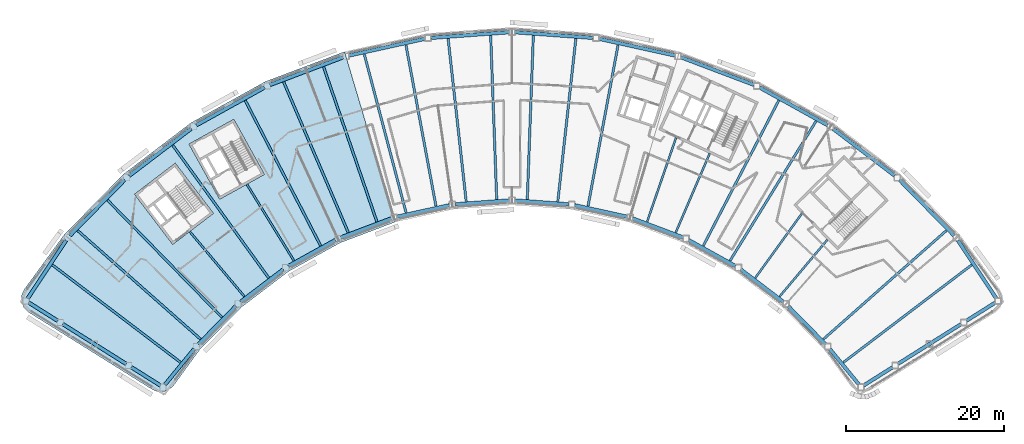
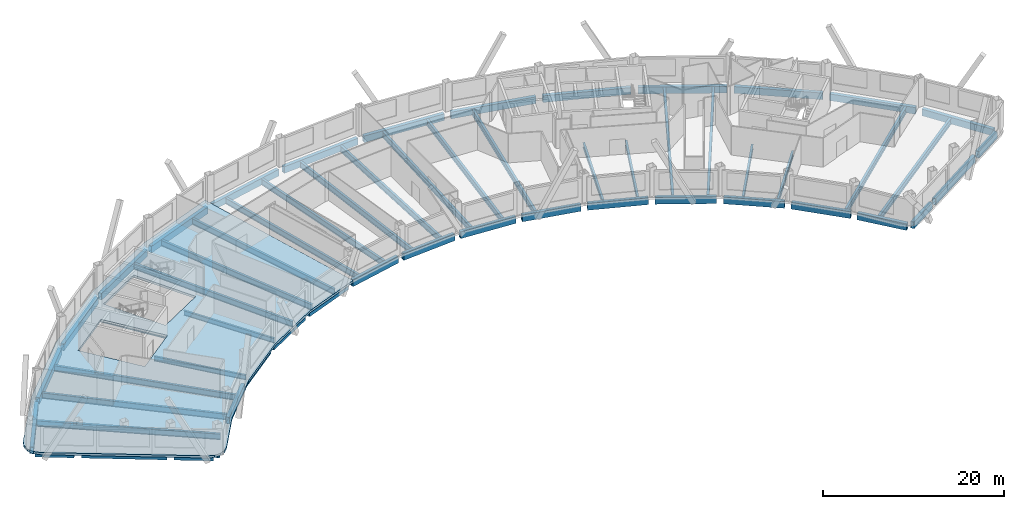
# One storey, part 3 of 13: 58 beams, 1 slab.
"""IFC4 building model written with IfcOpenShell, lengths in metres."""

import ifcopenshell
import ifcopenshell.guid

model = None  # the IFC model being written
_history = None  # IfcOwnerHistory: only IFC2X3 demands one
_inside = {}  # id of a spatial element -> (the spatial element, [elements in it])
_under = {}  # id of a project, library or spatial element -> (it, [spatial elements below it])
_declared = {}  # id of a project -> (the project, [libraries it declares])
_typed = {}  # id of a type object -> (the type object, [elements of that type])
_made_of = {}  # id of a material, layer set ... -> (it, [elements and type objects made of it])


def new_model(schema):
    """Start an empty IFC model of exactly this schema.

    Asked for "IFC4X3", IfcOpenShell would pick the latest addendum, in which some entities
    have other attributes; the version numbers below select the first issue.
    IFC2X3 requires an IfcOwnerHistory on every rooted entity: one is made here for all.
    """
    global model, _history
    if schema == "IFC4X3":
        model = ifcopenshell.file(schema_version=(4, 3, 0, 0))
    else:
        model = ifcopenshell.file(schema=schema)
    _inside.clear()
    _under.clear()
    _declared.clear()
    _typed.clear()
    _made_of.clear()
    _history = None
    if model.schema == "IFC2X3":
        org = make("IfcOrganization", Name="unknown")
        user = make(
            "IfcPersonAndOrganization",
            ThePerson=make("IfcPerson", FamilyName="unknown"),
            TheOrganization=org,
        )
        app = make(
            "IfcApplication",
            ApplicationDeveloper=org,
            Version="unknown",
            ApplicationFullName="unknown",
            ApplicationIdentifier="unknown",
        )
        _history = make(
            "IfcOwnerHistory",
            OwningUser=user,
            OwningApplication=app,
            ChangeAction="ADDED",
            CreationDate=0,
        )
    return model


def make(cls, **values):
    """One entity of the class cls with the attributes given. An attribute that is None is left unset."""
    return model.create_entity(
        cls, **{name: value for name, value in values.items() if value is not None}
    )


def rooted(cls, **values):
    """An entity with a GlobalId (a new one), such as an element, a storey or a relation."""
    return make(cls, GlobalId=ifcopenshell.guid.new(), OwnerHistory=_history, **values)


def si_unit(unit_type, name, prefix=None):
    """IfcSIUnit, for example si_unit("LENGTHUNIT", "METRE", prefix="MILLI")."""
    return make("IfcSIUnit", UnitType=unit_type, Prefix=prefix, Name=name)


def assignment(units):
    """IfcUnitAssignment: the units of a project."""
    return None if units is None else make("IfcUnitAssignment", Units=units)


def point(xyz):
    """IfcCartesianPoint."""
    return None if xyz is None else make("IfcCartesianPoint", Coordinates=xyz)


def direction(xyz):
    """IfcDirection."""
    return None if xyz is None else make("IfcDirection", DirectionRatios=xyz)


def frame(location, z_axis=None, x_axis=None):
    """IfcAxis2Placement3D, a coordinate frame: its origin and axes. An axis left out is left unset."""
    return make(
        "IfcAxis2Placement3D",
        Location=point(location),
        Axis=direction(z_axis),
        RefDirection=direction(x_axis),
    )


def frame_2d(location, x_axis=None):
    """IfcAxis2Placement2D, a coordinate frame in the plane: its origin and x axis."""
    return make(
        "IfcAxis2Placement2D", Location=point(location), RefDirection=direction(x_axis)
    )


def origin():
    """The frame at (0, 0, 0) with its axes left unset."""
    return frame((0.0, 0.0, 0.0))


def origin_2d():
    """The frame at (0, 0) in the plane with its x axis left unset."""
    return frame_2d((0.0, 0.0))


def place(relative_to, where):
    """IfcLocalPlacement: puts the frame where relative to a parent placement (None: the world)."""
    return make(
        "IfcLocalPlacement", PlacementRelTo=relative_to, RelativePlacement=where
    )


def context(
    kind, dimensions, precision=None, world=None, true_north=None, identifier=None
):
    """IfcGeometricRepresentationContext, for example the 3D "Model" context."""
    return make(
        "IfcGeometricRepresentationContext",
        ContextIdentifier=identifier,
        ContextType=kind,
        CoordinateSpaceDimension=dimensions,
        Precision=precision,
        WorldCoordinateSystem=world,
        TrueNorth=true_north,
    )


def subcontext(parent, identifier, kind, view, scale=None):
    """IfcGeometricRepresentationSubContext, for example "Body" below "Model"."""
    return make(
        "IfcGeometricRepresentationSubContext",
        ContextIdentifier=identifier,
        ContextType=kind,
        ParentContext=parent,
        TargetScale=scale,
        TargetView=view,
    )


def project(units=None, contexts=None):
    """IfcProject with its units and contexts."""
    return rooted(
        "IfcProject",
        Name="project",
        RepresentationContexts=contexts,
        UnitsInContext=assignment(units),
    )


def spatial(cls, under=None, at=None, **own):
    """A site, building, storey or space (cls), placed at a placement, below another one or the project."""
    s = rooted(cls, ObjectPlacement=at, **own)
    if under is not None:
        _under.setdefault(under.id(), (under, []))[1].append(s)
    return s


def polyline(points):
    """IfcPolyline through the points."""
    return make("IfcPolyline", Points=[point(p) for p in points])


def profile(cls, at=None, kind="AREA", **sizes):
    """A parametric profile (cls). Its sizes go by their IFC names, for example OverallWidth=200.0."""
    return make(cls, ProfileType=kind, Position=at, **sizes)


def hollow_rectangle(**sizes):
    """IfcRectangleHollowProfileDef."""
    return profile("IfcRectangleHollowProfileDef", **sizes)


def i_section(**sizes):
    """IfcIShapeProfileDef."""
    return profile("IfcIShapeProfileDef", **sizes)


def outline(outer, holes=None, kind="AREA"):
    """IfcArbitraryClosedProfileDef: a profile drawn as a closed curve; with holes, ...WithVoids."""
    if holes is None:
        return make("IfcArbitraryClosedProfileDef", ProfileType=kind, OuterCurve=outer)
    return make(
        "IfcArbitraryProfileDefWithVoids",
        ProfileType=kind,
        OuterCurve=outer,
        InnerCurves=holes,
    )


def extrude(swept, where, along, depth):
    """IfcExtrudedAreaSolid: the profile swept, set in the frame where, extruded along a direction by depth."""
    return make(
        "IfcExtrudedAreaSolid",
        SweptArea=swept,
        Position=where,
        ExtrudedDirection=direction(along),
        Depth=depth,
    )


def shape(context_of_items, identifier, shape_type, items):
    """IfcShapeRepresentation: the items that make up one representation, for example the "Body"."""
    return make(
        "IfcShapeRepresentation",
        ContextOfItems=context_of_items,
        RepresentationIdentifier=identifier,
        RepresentationType=shape_type,
        Items=items,
    )


def material(Name=None, Category=None):
    """IfcMaterial."""
    return make("IfcMaterial", Name=Name, Category=Category)


def layer(
    of_material, thickness, ventilated=None, Name=None, Category=None, Priority=None
):
    """IfcMaterialLayer: one layer of a wall or slab, of a material (None: an air gap)."""
    return make(
        "IfcMaterialLayer",
        Material=of_material,
        LayerThickness=thickness,
        IsVentilated=ventilated,
        Name=Name,
        Category=Category,
        Priority=Priority,
    )


def layer_set(layers, Name=None):
    """IfcMaterialLayerSet."""
    return make("IfcMaterialLayerSet", MaterialLayers=layers, LayerSetName=Name)


def material_profile(
    of_material, cross_section, Name=None, Category=None, Priority=None
):
    """IfcMaterialProfile: a cross section and its material."""
    return make(
        "IfcMaterialProfile",
        Name=Name,
        Material=of_material,
        Profile=cross_section,
        Priority=Priority,
        Category=Category,
    )


def profile_set(profiles, Name=None, composite=None):
    """IfcMaterialProfileSet."""
    return make(
        "IfcMaterialProfileSet",
        Name=Name,
        MaterialProfiles=profiles,
        CompositeProfile=composite,
    )


def made_of(thing, what):
    """Note that an element or type object is made of a material, layer set ...; save() writes the relation."""
    if what is not None:
        _made_of.setdefault(what.id(), (what, []))[1].append(thing)
    return thing


def type_object(cls, material=None, **own):
    """A type object (cls), such as IfcWallType, which elements share."""
    return made_of(rooted(cls, **own), material)


def element(
    cls,
    number,
    at=None,
    inside=None,
    cuts=None,
    type_object=None,
    material=None,
    context=None,
    identifier="Body",
    shape_type=None,
    held_by="IfcProductDefinitionShape",
    body=None,
    shapes=None,
    **own,
):
    """One element of the class cls, such as IfcWall. Its Tag is "e" and its number.

    at: its placement. inside: the storey or other place that contains it. cuts: it is an
    opening in that element (IfcRelVoidsElement). A single representation is given by context,
    identifier, shape_type and body (its items); several are given by shapes. held_by: the class
    of the entity that holds the representations. save() writes the other relations.
    """
    e = rooted(cls, Tag="e%d" % number, ObjectPlacement=at, **own)
    if body is not None:
        shapes = [shape(context, identifier, shape_type, body)]
    if shapes is not None:
        e.Representation = make(held_by, Representations=shapes)
    if inside is not None:
        _inside.setdefault(inside.id(), (inside, []))[1].append(e)
    if cuts is not None:
        rooted(
            "IfcRelVoidsElement", RelatingBuildingElement=cuts, RelatedOpeningElement=e
        )
    if type_object is not None:
        _typed.setdefault(type_object.id(), (type_object, []))[1].append(e)
    return made_of(e, material)


def aggregate(whole, parts):
    """IfcRelAggregates: a whole, such as a stair, and the parts it consists of."""
    return rooted("IfcRelAggregates", RelatingObject=whole, RelatedObjects=parts)


def save(model, path):
    """Write the relations noted so far, then the file.

    IfcRelAggregates (storeys below a building ...), IfcRelContainedInSpatialStructure (elements
    in a storey), IfcRelDefinesByType, IfcRelAssociatesMaterial and IfcRelDeclares: one each for
    every whole, place, type object, material and project.
    """
    for whole, parts in _under.values():
        aggregate(whole, parts)
    for where, things in _inside.values():
        rooted(
            "IfcRelContainedInSpatialStructure",
            RelatedElements=things,
            RelatingStructure=where,
        )
    for kind, things in _typed.values():
        rooted("IfcRelDefinesByType", RelatedObjects=things, RelatingType=kind)
    for what, things in _made_of.values():
        rooted("IfcRelAssociatesMaterial", RelatedObjects=things, RelatingMaterial=what)
    for by, libraries in _declared.values():
        rooted("IfcRelDeclares", RelatingContext=by, RelatedDefinitions=libraries)
    model.write(path)


model = new_model("IFC4")

# Units and contexts
model_context = context("Model", 3, precision=1e-05, world=origin(), true_north=direction((0.0, 1.0)))
body_context = subcontext(model_context, "Body", "Model", "MODEL_VIEW")
ifc_project = project(units=[si_unit("LENGTHUNIT", "METRE"), si_unit("AREAUNIT", "SQUARE_METRE"), si_unit("VOLUMEUNIT", "CUBIC_METRE"), si_unit("PLANEANGLEUNIT", "RADIAN"), si_unit("MASSUNIT", "GRAM", prefix="KILO")], contexts=[model_context])

# Site, building, storey
site_placement = place(None, origin())
site = spatial("IfcSite", under=ifc_project, at=site_placement, CompositionType="ELEMENT")
building_placement = place(site_placement, origin())
building = spatial("IfcBuilding", under=site, at=building_placement, Name="Tuul Gate Civic Tower", CompositionType="ELEMENT")
storey_placement = place(building_placement, frame((0.0, 0.0, 302.60009765625)))
storey = spatial("IfcBuildingStorey", under=building, at=storey_placement, Name="Level 68", CompositionType="ELEMENT", Elevation=302.60009765625)

# Beams
ifc_material_1 = material(Name="Steel S355", Category="steel")
ifc_material_profile_1 = material_profile(ifc_material_1, i_section(OverallWidth=0.25, OverallDepth=0.64990234375, WebThickness=0.011962890625, FlangeThickness=0.02001953125, at=origin_2d()), Name="PG650x250x12x20")
ifc_profile_set_1 = profile_set([ifc_material_profile_1], Name="Steel S355")
beam_type_1 = type_object("IfcBeamType", Name="STR-FLOOR BEAM-PG650x250x12x20", PredefinedType="BEAM", material=ifc_profile_set_1)
beam_1_placement = place(storey_placement, frame((40.746337890625, -24.341064453125, -0.625), z_axis=(0.644127784209, 0.764917902529, 0.0), x_axis=(-0.764917902529, 0.644127784209, 0.0)))
element("IfcBeam", 1, at=beam_1_placement, inside=storey, type_object=beam_type_1, Name="Floor beam", PredefinedType="BEAM", context=body_context, shape_type="SweptSolid", body=[
    extrude(i_section(OverallWidth=0.25, OverallDepth=0.64990234375, WebThickness=0.011962890625, FlangeThickness=0.02001953125, at=origin_2d()), origin(), (0.0, 0.0, 1.0), 9.443115234375),
])
beam_2_placement = place(storey_placement, frame((37.658203125, -21.989501953125, -0.625), z_axis=(0.586069159859, 0.810261031929, 0.0), x_axis=(-0.810261031929, 0.586069159859, 0.0)))
element("IfcBeam", 2, at=beam_2_placement, inside=storey, type_object=beam_type_1, Name="Floor beam", PredefinedType="BEAM", context=body_context, shape_type="SweptSolid", body=[
    extrude(i_section(OverallWidth=0.25, OverallDepth=0.64990234375, WebThickness=0.011962890625, FlangeThickness=0.02001953125, at=origin_2d()), origin(), (0.0, 0.0, 1.0), 10.103515625),
])
beam_3_placement = place(storey_placement, frame((27.564697265625, -16.229248046875, -0.625), z_axis=(0.394202182467, 0.919023742532, 0.0), x_axis=(-0.919023742532, 0.394202182467, 0.0)))
element("IfcBeam", 3, at=beam_3_placement, inside=storey, type_object=beam_type_1, Name="Floor beam", PredefinedType="BEAM", context=body_context, shape_type="SweptSolid", body=[
    extrude(i_section(OverallWidth=0.25, OverallDepth=0.64990234375, WebThickness=0.011962890625, FlangeThickness=0.02001953125, at=origin_2d()), origin(), (0.0, 0.0, 1.0), 10.93603515625),
])
beam_4_placement = place(storey_placement, frame((23.934326171875, -14.856689453125, -0.625), z_axis=(0.325475834629, 0.945550358824, 0.0), x_axis=(-0.945550358824, 0.325475834629, 0.0)))
element("IfcBeam", 4, at=beam_4_placement, inside=storey, type_object=beam_type_1, Name="Floor beam", PredefinedType="BEAM", context=body_context, shape_type="SweptSolid", body=[
    extrude(i_section(OverallWidth=0.25, OverallDepth=0.64990234375, WebThickness=0.011962890625, FlangeThickness=0.02001953125, at=origin_2d()), origin(), (0.0, 0.0, 1.0), 11.282958984375),
])
beam_5_placement = place(storey_placement, frame((-20.8779296875, -19.798828125, -0.625), z_axis=(-0.524859776805, 0.851188706864, 0.0), x_axis=(-0.851188706864, -0.524859776805, 0.0)))
element("IfcBeam", 5, at=beam_5_placement, inside=storey, type_object=beam_type_1, Name="Floor beam", PredefinedType="BEAM", context=body_context, shape_type="SweptSolid", body=[
    extrude(i_section(OverallWidth=0.25, OverallDepth=0.64990234375, WebThickness=0.011962890625, FlangeThickness=0.02001953125, at=origin_2d()), origin(), (0.0, 0.0, 1.0), 11.414306640625),
])
beam_6_placement = place(storey_placement, frame((-27.170166015625, -24.341064453125, -0.625), z_axis=(-0.644139926709, 0.764907677318, 0.0), x_axis=(-0.764907677318, -0.644139926709, 0.0)))
element("IfcBeam", 6, at=beam_6_placement, inside=storey, type_object=beam_type_1, Name="Floor beam", PredefinedType="BEAM", context=body_context, shape_type="SweptSolid", body=[
    extrude(i_section(OverallWidth=0.25, OverallDepth=0.64990234375, WebThickness=0.011962890625, FlangeThickness=0.02001953125, at=origin_2d()), origin(), (0.0, 0.0, 1.0), 10.7890625),
])
ifc_material_2 = material(Name="Steel S355", Category="steel")
ifc_material_profile_2 = material_profile(ifc_material_2, i_section(OverallWidth=0.300048828125, OverallDepth=0.800048828125, WebThickness=0.013916015625, FlangeThickness=0.02490234375, at=origin_2d()), Name="PG800x300x14x25")
ifc_profile_set_2 = profile_set([ifc_material_profile_2], Name="Steel S355")
beam_type_2 = type_object("IfcBeamType", Name="STR-FLOOR BEAM-PG800x300x14x25", PredefinedType="BEAM", material=ifc_profile_set_2)
beam_7_placement = place(storey_placement, frame((48.8427734375, -32.703857421875, -0.7001953125), z_axis=(0.796156676215, 0.60509052787, 0.0), x_axis=(-0.60509052787, 0.796156676215, 0.0)))
element("IfcBeam", 7, at=beam_7_placement, inside=storey, type_object=beam_type_2, Name="Floor beam", PredefinedType="BEAM", context=body_context, shape_type="SweptSolid", body=[
    extrude(i_section(OverallWidth=0.300048828125, OverallDepth=0.800048828125, WebThickness=0.013916015625, FlangeThickness=0.02490234375, at=origin_2d()), origin(), (0.0, 0.0, 1.0), 20.46240234375),
])
beam_8_placement = place(storey_placement, frame((46.3037109375, -29.759033203125, -0.7001953125), z_axis=(0.749453243269, 0.662057275584, 0.0), x_axis=(-0.662057275584, 0.749453243269, 0.0)))
element("IfcBeam", 8, at=beam_8_placement, inside=storey, type_object=beam_type_2, Name="Floor beam", PredefinedType="BEAM", context=body_context, shape_type="SweptSolid", body=[
    extrude(i_section(OverallWidth=0.300048828125, OverallDepth=0.800048828125, WebThickness=0.013916015625, FlangeThickness=0.02490234375, at=origin_2d()), origin(), (0.0, 0.0, 1.0), 20.828369140625),
])
beam_9_placement = place(storey_placement, frame((34.45458984375, -19.79833984375, -0.7001953125), z_axis=(0.524850193008, 0.851194616348, 0.0), x_axis=(-0.851194616348, 0.524850193008, 0.0)))
element("IfcBeam", 9, at=beam_9_placement, inside=storey, type_object=beam_type_2, Name="Floor beam", PredefinedType="BEAM", context=body_context, shape_type="SweptSolid", body=[
    extrude(i_section(OverallWidth=0.300048828125, OverallDepth=0.800048828125, WebThickness=0.013916015625, FlangeThickness=0.02490234375, at=origin_2d()), origin(), (0.0, 0.0, 1.0), 20.822021484375),
])
beam_10_placement = place(storey_placement, frame((31.0595703125, -17.9169921875, -0.7001953125), z_axis=(0.460777059353, 0.887515916237, 0.0), x_axis=(-0.887515916237, 0.460777059353, 0.0)))
element("IfcBeam", 10, at=beam_10_placement, inside=storey, type_object=beam_type_2, Name="Floor beam", PredefinedType="BEAM", context=body_context, shape_type="SweptSolid", body=[
    extrude(i_section(OverallWidth=0.300048828125, OverallDepth=0.800048828125, WebThickness=0.013916015625, FlangeThickness=0.02490234375, at=origin_2d()), origin(), (0.0, 0.0, 1.0), 20.8076171875),
])
beam_11_placement = place(storey_placement, frame((16.4365234375, -12.874755859375, -0.7001953125), z_axis=(0.183145230157, 0.983085868412, 0.0), x_axis=(-0.983085868412, 0.183145230157, 0.0)))
element("IfcBeam", 11, at=beam_11_placement, inside=storey, type_object=beam_type_2, Name="Floor beam", PredefinedType="BEAM", context=body_context, shape_type="SweptSolid", body=[
    extrude(i_section(OverallWidth=0.300048828125, OverallDepth=0.800048828125, WebThickness=0.013916015625, FlangeThickness=0.02490234375, at=origin_2d()), origin(), (0.0, 0.0, 1.0), 20.8115234375),
])
beam_12_placement = place(storey_placement, frame((12.599365234375, -12.294677734375, -0.7001953125), z_axis=(0.110286058964, 0.993899886909, 0.0), x_axis=(-0.993899886909, 0.110286058964, 0.0)))
element("IfcBeam", 12, at=beam_12_placement, inside=storey, type_object=beam_type_2, Name="Floor beam", PredefinedType="BEAM", context=body_context, shape_type="SweptSolid", body=[
    extrude(i_section(OverallWidth=0.300048828125, OverallDepth=0.800048828125, WebThickness=0.013916015625, FlangeThickness=0.02490234375, at=origin_2d()), origin(), (0.0, 0.0, 1.0), 20.8154296875),
])
beam_13_placement = place(storey_placement, frame((8.728515625, -12.01416015625, -0.7001953125), z_axis=(0.036832047042, 0.999321469954, 0.0), x_axis=(-0.999321469954, 0.036832047042, 0.0)))
element("IfcBeam", 13, at=beam_13_placement, inside=storey, type_object=beam_type_2, Name="Floor beam", PredefinedType="BEAM", context=body_context, shape_type="SweptSolid", body=[
    extrude(i_section(OverallWidth=0.300048828125, OverallDepth=0.800048828125, WebThickness=0.013916015625, FlangeThickness=0.02490234375, at=origin_2d()), origin(), (0.0, 0.0, 1.0), 20.8134765625),
])
beam_14_placement = place(storey_placement, frame((4.84765625, -12.013916015625, -0.7001953125), z_axis=(-0.036820764609, 0.999321885727, 0.0), x_axis=(-0.999321885727, -0.036820764609, 0.0)))
element("IfcBeam", 14, at=beam_14_placement, inside=storey, type_object=beam_type_2, Name="Floor beam", PredefinedType="BEAM", context=body_context, shape_type="SweptSolid", body=[
    extrude(i_section(OverallWidth=0.300048828125, OverallDepth=0.800048828125, WebThickness=0.013916015625, FlangeThickness=0.02490234375, at=origin_2d()), origin(), (0.0, 0.0, 1.0), 20.813232421875),
])
beam_15_placement = place(storey_placement, frame((0.976806640625, -12.294677734375, -0.7001953125), z_axis=(-0.110287344613, 0.993899744249, 0.0), x_axis=(-0.993899744249, -0.110287344613, 0.0)))
element("IfcBeam", 15, at=beam_15_placement, inside=storey, type_object=beam_type_2, Name="Floor beam", PredefinedType="BEAM", context=body_context, shape_type="SweptSolid", body=[
    extrude(i_section(OverallWidth=0.300048828125, OverallDepth=0.800048828125, WebThickness=0.013916015625, FlangeThickness=0.02490234375, at=origin_2d()), origin(), (0.0, 0.0, 1.0), 20.815185546875),
])
beam_16_placement = place(storey_placement, frame((-2.8603515625, -12.87451171875, -0.7001953125), z_axis=(-0.183149454547, 0.983085081414, 0.0), x_axis=(-0.983085081414, -0.183149454547, 0.0)))
element("IfcBeam", 16, at=beam_16_placement, inside=storey, type_object=beam_type_2, Name="Floor beam", PredefinedType="BEAM", context=body_context, shape_type="SweptSolid", body=[
    extrude(i_section(OverallWidth=0.300048828125, OverallDepth=0.800048828125, WebThickness=0.013916015625, FlangeThickness=0.02490234375, at=origin_2d()), origin(), (0.0, 0.0, 1.0), 20.81103515625),
])
beam_17_placement = place(storey_placement, frame((-6.650390625, -13.7099609375, -0.7001953125), z_axis=(-0.255007612054, 0.966939045542, 0.0), x_axis=(-0.966939045542, -0.255007612054, 0.0)))
element("IfcBeam", 17, at=beam_17_placement, inside=storey, type_object=beam_type_2, Name="Floor beam", PredefinedType="BEAM", context=body_context, shape_type="SweptSolid", body=[
    extrude(i_section(OverallWidth=0.300048828125, OverallDepth=0.800048828125, WebThickness=0.013916015625, FlangeThickness=0.02490234375, at=origin_2d()), origin(), (0.0, 0.0, 1.0), 20.8173828125),
])
beam_18_placement = place(storey_placement, frame((-10.358154296875, -14.856689453125, -0.7001953125), z_axis=(-0.325486974479, 0.945546524209, 0.0), x_axis=(-0.945546524209, -0.325486974479, 0.0)))
element("IfcBeam", 18, at=beam_18_placement, inside=storey, type_object=beam_type_2, Name="Floor beam", PredefinedType="BEAM", context=body_context, shape_type="SweptSolid", body=[
    extrude(i_section(OverallWidth=0.300048828125, OverallDepth=0.800048828125, WebThickness=0.013916015625, FlangeThickness=0.02490234375, at=origin_2d()), origin(), (0.0, 0.0, 1.0), 20.809326171875),
])
beam_19_placement = place(storey_placement, frame((-13.98828125, -16.2294921875, -0.7001953125), z_axis=(-0.39420232802, 0.9190236801, 0.0), x_axis=(-0.9190236801, -0.39420232802, 0.0)))
element("IfcBeam", 19, at=beam_19_placement, inside=storey, type_object=beam_type_2, Name="Floor beam", PredefinedType="BEAM", context=body_context, shape_type="SweptSolid", body=[
    extrude(i_section(OverallWidth=0.300048828125, OverallDepth=0.800048828125, WebThickness=0.013916015625, FlangeThickness=0.02490234375, at=origin_2d()), origin(), (0.0, 0.0, 1.0), 20.820068359375),
])
beam_20_placement = place(storey_placement, frame((-17.483154296875, -17.917236328125, -0.7001953125), z_axis=(-0.460781503105, 0.887513609133, 0.0), x_axis=(-0.887513609133, -0.460781503105, 0.0)))
element("IfcBeam", 20, at=beam_20_placement, inside=storey, type_object=beam_type_2, Name="Floor beam", PredefinedType="BEAM", context=body_context, shape_type="SweptSolid", body=[
    extrude(i_section(OverallWidth=0.300048828125, OverallDepth=0.800048828125, WebThickness=0.013916015625, FlangeThickness=0.02490234375, at=origin_2d()), origin(), (0.0, 0.0, 1.0), 20.807861328125),
])
beam_21_placement = place(storey_placement, frame((-24.081787109375, -21.98974609375, -0.7001953125), z_axis=(-0.586080778494, 0.810252627938, 0.0), x_axis=(-0.810252627938, -0.586080778494, 0.0)))
element("IfcBeam", 21, at=beam_21_placement, inside=storey, type_object=beam_type_2, Name="Floor beam", PredefinedType="BEAM", context=body_context, shape_type="SweptSolid", body=[
    extrude(i_section(OverallWidth=0.300048828125, OverallDepth=0.800048828125, WebThickness=0.013916015625, FlangeThickness=0.02490234375, at=origin_2d()), origin(), (0.0, 0.0, 1.0), 20.8056640625),
])
beam_22_placement = place(storey_placement, frame((-30.010498046875, -26.986572265625, -0.7001953125), z_axis=(-0.698690220921, 0.71542433226, 0.0), x_axis=(-0.71542433226, -0.698690220921, 0.0)))
element("IfcBeam", 22, at=beam_22_placement, inside=storey, type_object=beam_type_2, Name="Floor beam", PredefinedType="BEAM", context=body_context, shape_type="SweptSolid", body=[
    extrude(i_section(OverallWidth=0.300048828125, OverallDepth=0.800048828125, WebThickness=0.013916015625, FlangeThickness=0.02490234375, at=origin_2d()), origin(), (0.0, 0.0, 1.0), 20.804443359375),
])
beam_23_placement = place(storey_placement, frame((-32.7275390625, -29.759033203125, -0.7001953125), z_axis=(-0.749453243269, 0.662057275584, 0.0), x_axis=(-0.662057275584, -0.749453243269, 0.0)))
element("IfcBeam", 23, at=beam_23_placement, inside=storey, type_object=beam_type_2, Name="Floor beam", PredefinedType="BEAM", context=body_context, shape_type="SweptSolid", body=[
    extrude(i_section(OverallWidth=0.300048828125, OverallDepth=0.800048828125, WebThickness=0.013916015625, FlangeThickness=0.02490234375, at=origin_2d()), origin(), (0.0, 0.0, 1.0), 20.828369140625),
])
beam_24_placement = place(storey_placement, frame((-35.266845703125, -32.703857421875, -0.7001953125), z_axis=(-0.796146559843, 0.605103838403, 0.0), x_axis=(-0.605103838403, -0.796146559843, 0.0)))
element("IfcBeam", 24, at=beam_24_placement, inside=storey, type_object=beam_type_2, Name="Floor beam", PredefinedType="BEAM", context=body_context, shape_type="SweptSolid", body=[
    extrude(i_section(OverallWidth=0.300048828125, OverallDepth=0.800048828125, WebThickness=0.013916015625, FlangeThickness=0.02490234375, at=origin_2d()), origin(), (0.0, 0.0, 1.0), 20.46240234375),
])
ifc_material_3 = material(Name="Steel S355", Category="steel")
ifc_material_profile_3 = material_profile(ifc_material_3, hollow_rectangle(XDim=0.449951171875, YDim=0.89990234375, WallThickness=0.02490234375, at=origin_2d()), Name="BOX900x450x25")
ifc_profile_set_3 = profile_set([ifc_material_profile_3], Name="Steel S355")
beam_type_3 = type_object("IfcBeamType", Name="STR-SPANDREL BEAM-BOX900x450x25", PredefinedType="BEAM", material=ifc_profile_set_3)
beam_25_placement = place(storey_placement, frame((68.23828125, -24.5634765625, -0.75), z_axis=(-0.551580803008, 0.834121464628, 0.0), x_axis=(-0.834121464628, -0.551580803008, 0.0)))
element("IfcBeam", 25, at=beam_25_placement, inside=storey, type_object=beam_type_3, Name="Spandrel beam", PredefinedType="BEAM", context=body_context, shape_type="SweptSolid", body=[
    extrude(hollow_rectangle(XDim=0.449951171875, YDim=0.89990234375, WallThickness=0.02490234375, at=origin_2d()), origin(), (0.0, 0.0, 1.0), 8.806884765625),
])
for number, where, z_axis, x_axis, name in (
    (26, (62.8798828125, -16.598388671875, -0.75), (-0.699989605726, 0.714153031132, 0.0), (-0.714153031132, -0.699989605726, 0.0), "Spandrel beam"),
    (27, (55.36767578125, -9.0166015625, -0.75), (-0.795624601098, 0.605789975261, 0.0), (-0.605789975261, -0.795624601098, 0.0), "Spandrel beam"),
):
    element("IfcBeam", number, at=place(storey_placement, frame(where, z_axis=z_axis, x_axis=x_axis)), inside=storey, type_object=beam_type_3, Name=name, PredefinedType="BEAM", context=body_context, shape_type="SweptSolid", body=[
        extrude(hollow_rectangle(XDim=0.449951171875, YDim=0.89990234375, WallThickness=0.02490234375, at=origin_2d()), origin(), (0.0, 0.0, 1.0), 9.876953125),
    ])
beam_26_placement = place(storey_placement, frame((46.841064453125, -2.59716796875, -0.75), z_axis=(-0.874638363012, 0.484775962634, 0.0), x_axis=(-0.484775962634, -0.874638363012, 0.0)))
element("IfcBeam", 28, at=beam_26_placement, inside=storey, type_object=beam_type_3, Name="Spandrel beam", PredefinedType="BEAM", context=body_context, shape_type="SweptSolid", body=[
    extrude(hollow_rectangle(XDim=0.449951171875, YDim=0.89990234375, WallThickness=0.02490234375, at=origin_2d()), origin(), (0.0, 0.0, 1.0), 9.87744140625),
])
for number, where, z_axis, x_axis, name in (
    (29, (37.477783203125, 2.526611328125, -0.75), (-0.935345282805, 0.353736062531, 0.0), (-0.353736062531, -0.935345282805, 0.0), "Spandrel beam"),
    (30, (27.474365234375, 6.248046875, -0.75), (-0.976561301206, 0.21523945964, 0.0), (-0.21523945964, -0.976561301206, 0.0), "Spandrel beam"),
):
    element("IfcBeam", number, at=place(storey_placement, frame(where, z_axis=z_axis, x_axis=x_axis)), inside=storey, type_object=beam_type_3, Name=name, PredefinedType="BEAM", context=body_context, shape_type="SweptSolid", body=[
        extrude(hollow_rectangle(XDim=0.449951171875, YDim=0.89990234375, WallThickness=0.02490234375, at=origin_2d()), origin(), (0.0, 0.0, 1.0), 9.877197265625),
    ])
beam_27_placement = place(storey_placement, frame((17.0390625, 8.489013671875, -0.75), z_axis=(-0.997383375636, 0.072293858694, 0.0), x_axis=(-0.072293858694, -0.997383375636, 0.0)))
element("IfcBeam", 31, at=beam_27_placement, inside=storey, type_object=beam_type_3, Name="Spandrel beam", PredefinedType="BEAM", context=body_context, shape_type="SweptSolid", body=[
    extrude(hollow_rectangle(XDim=0.449951171875, YDim=0.89990234375, WallThickness=0.02490234375, at=origin_2d()), origin(), (0.0, 0.0, 1.0), 9.8779296875),
])
for number, where, z_axis, x_axis, name in (
    (32, (6.38916015625, 9.203125, -0.75), (-0.997382988068, -0.072299205474, 0.0), (0.072299205474, -0.997382988068, 0.0), "Spandrel beam"),
    (33, (-4.251708984375, 8.3740234375, -0.75), (-0.976561301206, -0.21523945964, 0.0), (0.21523945964, -0.976561301206, 0.0), "Spandrel beam"),
):
    element("IfcBeam", number, at=place(storey_placement, frame(where, z_axis=z_axis, x_axis=x_axis)), inside=storey, type_object=beam_type_3, Name=name, PredefinedType="BEAM", context=body_context, shape_type="SweptSolid", body=[
        extrude(hollow_rectangle(XDim=0.449951171875, YDim=0.89990234375, WallThickness=0.02490234375, at=origin_2d()), origin(), (0.0, 0.0, 1.0), 9.877197265625),
    ])
beam_28_placement = place(storey_placement, frame((-14.662109375, 6.0205078125, -0.75), z_axis=(-0.935352568022, -0.353716798434, 0.0), x_axis=(0.353716798434, -0.935352568022, 0.0)))
element("IfcBeam", 34, at=beam_28_placement, inside=storey, type_object=beam_type_3, Name="Spandrel beam", PredefinedType="BEAM", context=body_context, shape_type="SweptSolid", body=[
    extrude(hollow_rectangle(XDim=0.449951171875, YDim=0.89990234375, WallThickness=0.02490234375, at=origin_2d()), origin(), (0.0, 0.0, 1.0), 9.87841796875),
])
beam_29_placement = place(storey_placement, frame((-24.625732421875, 2.191162109375, -0.75), z_axis=(-0.874620935206, -0.484807404748, 0.0), x_axis=(0.484807404748, -0.874620935206, 0.0)))
element("IfcBeam", 35, at=beam_29_placement, inside=storey, type_object=beam_type_3, Name="Spandrel beam", PredefinedType="BEAM", context=body_context, shape_type="SweptSolid", body=[
    extrude(hollow_rectangle(XDim=0.449951171875, YDim=0.89990234375, WallThickness=0.02490234375, at=origin_2d()), origin(), (0.0, 0.0, 1.0), 9.876708984375),
])
beam_30_placement = place(storey_placement, frame((-33.932373046875, -3.033203125, -0.75), z_axis=(-0.795624601098, -0.605789975261, 0.0), x_axis=(0.605789975261, -0.795624601098, 0.0)))
element("IfcBeam", 36, at=beam_30_placement, inside=storey, type_object=beam_type_3, Name="Spandrel beam", PredefinedType="BEAM", context=body_context, shape_type="SweptSolid", body=[
    extrude(hollow_rectangle(XDim=0.449951171875, YDim=0.89990234375, WallThickness=0.02490234375, at=origin_2d()), origin(), (0.0, 0.0, 1.0), 9.876953125),
])
beam_31_placement = place(storey_placement, frame((-42.388916015625, -9.544677734375, -0.75), z_axis=(-0.700052630296, -0.714091251042, 0.0), x_axis=(0.714091251042, -0.700052630296, 0.0)))
element("IfcBeam", 37, at=beam_31_placement, inside=storey, type_object=beam_type_3, Name="Spandrel beam", PredefinedType="BEAM", context=body_context, shape_type="SweptSolid", body=[
    extrude(hollow_rectangle(XDim=0.449951171875, YDim=0.89990234375, WallThickness=0.02490234375, at=origin_2d()), origin(), (0.0, 0.0, 1.0), 9.8779296875),
])
beam_32_placement = place(storey_placement, frame((-49.8046875, -17.217529296875, -0.75), z_axis=(-0.551580803008, -0.834121464628, 0.0), x_axis=(0.834121464628, -0.551580803008, 0.0)))
element("IfcBeam", 38, at=beam_32_placement, inside=storey, type_object=beam_type_3, Name="Spandrel beam", PredefinedType="BEAM", context=body_context, shape_type="SweptSolid", body=[
    extrude(hollow_rectangle(XDim=0.449951171875, YDim=0.89990234375, WallThickness=0.02490234375, at=origin_2d()), origin(), (0.0, 0.0, 1.0), 8.806884765625),
])
beam_33_placement = place(storey_placement, frame((-54.54443359375, -25.110107421875, -0.75), z_axis=(0.846271424817, -0.532751983138, 0.0), x_axis=(0.532751983138, 0.846271424817, 0.0)))
element("IfcBeam", 39, at=beam_33_placement, inside=storey, type_object=beam_type_3, Name="Spandrel beam", PredefinedType="BEAM", context=body_context, shape_type="SweptSolid", body=[
    extrude(hollow_rectangle(XDim=0.449951171875, YDim=0.89990234375, WallThickness=0.02490234375, at=origin_2d()), origin(), (0.0, 0.0, 1.0), 4.33203125),
])
beam_34_placement = place(storey_placement, frame((-50.201416015625, -27.84423828125, -0.75), z_axis=(0.84620354352, -0.532859796695, 0.0), x_axis=(0.532859796695, 0.84620354352, 0.0)))
element("IfcBeam", 40, at=beam_34_placement, inside=storey, type_object=beam_type_3, Name="Spandrel beam", PredefinedType="BEAM", context=body_context, shape_type="SweptSolid", body=[
    extrude(hollow_rectangle(XDim=0.449951171875, YDim=0.89990234375, WallThickness=0.02490234375, at=origin_2d()), origin(), (0.0, 0.0, 1.0), 9.463623046875),
])
beam_35_placement = place(storey_placement, frame((-41.5166015625, -33.313232421875, -0.75), z_axis=(0.84613117079, -0.532974710298, 0.0), x_axis=(0.532974710298, 0.84613117079, 0.0)))
element("IfcBeam", 41, at=beam_35_placement, inside=storey, type_object=beam_type_3, Name="Spandrel beam", PredefinedType="BEAM", context=body_context, shape_type="SweptSolid", body=[
    extrude(hollow_rectangle(XDim=0.449951171875, YDim=0.89990234375, WallThickness=0.02490234375, at=origin_2d()), origin(), (0.0, 0.0, 1.0), 4.33154296875),
])
beam_36_placement = place(storey_placement, frame((-37.25927734375, -35.52587890625, -0.75), z_axis=(0.63438437654, 0.773017763574, 0.0), x_axis=(-0.773017763574, 0.63438437654, 0.0)))
element("IfcBeam", 42, at=beam_36_placement, inside=storey, type_object=beam_type_3, Name="Spandrel beam", PredefinedType="BEAM", context=body_context, shape_type="SweptSolid", body=[
    extrude(hollow_rectangle(XDim=0.449951171875, YDim=0.89990234375, WallThickness=0.02490234375, at=origin_2d()), origin(), (0.0, 0.0, 1.0), 5.85205078125),
])
beam_37_placement = place(storey_placement, frame((-33.012939453125, -30.4072265625, -0.75), z_axis=(0.69995351943, 0.71418839996, 0.0), x_axis=(-0.71418839996, 0.69995351943, 0.0)))
element("IfcBeam", 43, at=beam_37_placement, inside=storey, type_object=beam_type_3, Name="Spandrel beam", PredefinedType="BEAM", context=body_context, shape_type="SweptSolid", body=[
    extrude(hollow_rectangle(XDim=0.449951171875, YDim=0.89990234375, WallThickness=0.02490234375, at=origin_2d()), origin(), (0.0, 0.0, 1.0), 6.791748046875),
])
beam_38_placement = place(storey_placement, frame((-27.66064453125, -25.02880859375, -0.75), z_axis=(0.795648671747, 0.605758360361, 0.0), x_axis=(-0.605758360361, 0.795648671747, 0.0)))
element("IfcBeam", 44, at=beam_38_placement, inside=storey, type_object=beam_type_3, Name="Spandrel beam", PredefinedType="BEAM", context=body_context, shape_type="SweptSolid", body=[
    extrude(hollow_rectangle(XDim=0.449951171875, YDim=0.89990234375, WallThickness=0.02490234375, at=origin_2d()), origin(), (0.0, 0.0, 1.0), 6.792236328125),
])
beam_39_placement = place(storey_placement, frame((-21.588134765625, -20.47802734375, -0.75), z_axis=(0.87464856826, 0.484757549751, 0.0), x_axis=(-0.484757549751, 0.87464856826, 0.0)))
element("IfcBeam", 45, at=beam_39_placement, inside=storey, type_object=beam_type_3, Name="Spandrel beam", PredefinedType="BEAM", context=body_context, shape_type="SweptSolid", body=[
    extrude(hollow_rectangle(XDim=0.449951171875, YDim=0.89990234375, WallThickness=0.02490234375, at=origin_2d()), origin(), (0.0, 0.0, 1.0), 6.79150390625),
])
beam_40_placement = place(storey_placement, frame((-14.923828125, -16.8505859375, -0.75), z_axis=(0.935348956807, 0.35372634762, 0.0), x_axis=(-0.35372634762, 0.935348956807, 0.0)))
element("IfcBeam", 46, at=beam_40_placement, inside=storey, type_object=beam_type_3, Name="Spandrel beam", PredefinedType="BEAM", context=body_context, shape_type="SweptSolid", body=[
    extrude(hollow_rectangle(XDim=0.449951171875, YDim=0.89990234375, WallThickness=0.02490234375, at=origin_2d()), origin(), (0.0, 0.0, 1.0), 6.790771484375),
])
for number, where, z_axis, x_axis, name in (
    (47, (-7.807373046875, -14.220947265625, -0.75), (0.976561119915, 0.215240282172, 0.0), (-0.215240282172, 0.976561119915, 0.0), "Spandrel beam"),
    (48, (-0.385009765625, -12.64404296875, -0.75), (0.997381302407, 0.072322455777, 0.0), (-0.072322455777, 0.997381302407, 0.0), "Spandrel beam"),
):
    element("IfcBeam", number, at=place(storey_placement, frame(where, z_axis=z_axis, x_axis=x_axis)), inside=storey, type_object=beam_type_3, Name=name, PredefinedType="BEAM", context=body_context, shape_type="SweptSolid", body=[
        extrude(hollow_rectangle(XDim=0.449951171875, YDim=0.89990234375, WallThickness=0.02490234375, at=origin_2d()), origin(), (0.0, 0.0, 1.0), 6.7919921875),
    ])
for number, where, z_axis, x_axis, name in (
    (49, (7.18701171875, -12.15283203125, -0.75), (0.997381114382, -0.072325048733, 0.0), (0.072325048733, 0.997381114382, 0.0), "Spandrel beam"),
    (50, (14.750732421875, -12.759033203125, -0.75), (0.976559454542, -0.215247837958, 0.0), (0.215247837958, 0.976559454542, 0.0), "Spandrel beam"),
):
    element("IfcBeam", number, at=place(storey_placement, frame(where, z_axis=z_axis, x_axis=x_axis)), inside=storey, type_object=beam_type_3, Name=name, PredefinedType="BEAM", context=body_context, shape_type="SweptSolid", body=[
        extrude(hollow_rectangle(XDim=0.449951171875, YDim=0.89990234375, WallThickness=0.02490234375, at=origin_2d()), origin(), (0.0, 0.0, 1.0), 6.791748046875),
    ])
for number, where, z_axis, x_axis, name in (
    (51, (22.148193359375, -14.448486328125, -0.75), (0.935362449754, -0.353690666531, 0.0), (0.353690666531, 0.935362449754, 0.0), "Spandrel beam"),
    (52, (29.224853515625, -17.185791015625, -0.75), (0.87464856826, -0.484757549751, 0.0), (0.484757549751, 0.87464856826, 0.0), "Spandrel beam"),
    (53, (35.833251953125, -20.914306640625, -0.75), (0.795626424775, -0.605787580098, 0.0), (0.605787580098, 0.795626424775, 0.0), "Spandrel beam"),
):
    element("IfcBeam", number, at=place(storey_placement, frame(where, z_axis=z_axis, x_axis=x_axis)), inside=storey, type_object=beam_type_3, Name=name, PredefinedType="BEAM", context=body_context, shape_type="SweptSolid", body=[
        extrude(hollow_rectangle(XDim=0.449951171875, YDim=0.89990234375, WallThickness=0.02490234375, at=origin_2d()), origin(), (0.0, 0.0, 1.0), 6.79150390625),
    ])
beam_41_placement = place(storey_placement, frame((41.8349609375, -25.556640625, -0.75), z_axis=(0.699971853877, -0.714170430485, 0.0), x_axis=(0.714170430485, 0.699971853877, 0.0)))
element("IfcBeam", 54, at=beam_41_placement, inside=storey, type_object=beam_type_3, Name="Spandrel beam", PredefinedType="BEAM", context=body_context, shape_type="SweptSolid", body=[
    extrude(hollow_rectangle(XDim=0.449951171875, YDim=0.89990234375, WallThickness=0.02490234375, at=origin_2d()), origin(), (0.0, 0.0, 1.0), 6.7919921875),
])
beam_42_placement = place(storey_placement, frame((47.122802734375, -31.002197265625, -0.75), z_axis=(0.63438437654, -0.773017763574, 0.0), x_axis=(0.773017763574, 0.63438437654, 0.0)))
element("IfcBeam", 55, at=beam_42_placement, inside=storey, type_object=beam_type_3, Name="Spandrel beam", PredefinedType="BEAM", context=body_context, shape_type="SweptSolid", body=[
    extrude(hollow_rectangle(XDim=0.449951171875, YDim=0.89990234375, WallThickness=0.02490234375, at=origin_2d()), origin(), (0.0, 0.0, 1.0), 5.85205078125),
])
beam_43_placement = place(storey_placement, frame((51.427490234375, -35.621826171875, -0.75), z_axis=(0.846195195567, 0.532873053362, 0.0), x_axis=(-0.532873053362, 0.846195195567, 0.0)))
element("IfcBeam", 56, at=beam_43_placement, inside=storey, type_object=beam_type_3, Name="Spandrel beam", PredefinedType="BEAM", context=body_context, shape_type="SweptSolid", body=[
    extrude(hollow_rectangle(XDim=0.449951171875, YDim=0.89990234375, WallThickness=0.02490234375, at=origin_2d()), origin(), (0.0, 0.0, 1.0), 4.332275390625),
])
beam_44_placement = place(storey_placement, frame((55.7705078125, -32.886962890625, -0.75), z_axis=(0.84620354352, 0.532859796695, 0.0), x_axis=(-0.532859796695, 0.84620354352, 0.0)))
element("IfcBeam", 57, at=beam_44_placement, inside=storey, type_object=beam_type_3, Name="Spandrel beam", PredefinedType="BEAM", context=body_context, shape_type="SweptSolid", body=[
    extrude(hollow_rectangle(XDim=0.449951171875, YDim=0.89990234375, WallThickness=0.02490234375, at=origin_2d()), origin(), (0.0, 0.0, 1.0), 9.463623046875),
])
beam_45_placement = place(storey_placement, frame((64.45556640625, -27.41796875, -0.75), z_axis=(0.846207423362, 0.532853635295, 0.0), x_axis=(-0.532853635295, 0.846207423362, 0.0)))
element("IfcBeam", 58, at=beam_45_placement, inside=storey, type_object=beam_type_3, Name="Spandrel beam", PredefinedType="BEAM", context=body_context, shape_type="SweptSolid", body=[
    extrude(hollow_rectangle(XDim=0.449951171875, YDim=0.89990234375, WallThickness=0.02490234375, at=origin_2d()), origin(), (0.0, 0.0, 1.0), 4.3310546875),
])

# Slab
ifc_material_4 = material(Name="Concrete C35/45", Category="concrete")
ifc_layer = layer(ifc_material_4, 0.300048828125)
ifc_layer_set = layer_set([ifc_layer], Name="Concrete C35/45")
slab_type = type_object("IfcSlabType", Name="STR-FLOOR-SLAB-300", PredefinedType="FLOOR", material=ifc_layer_set)
slab_placement = place(storey_placement, frame((0.0, 0.0, -0.300048828125)))
element("IfcSlab", 59, at=slab_placement, inside=storey, type_object=slab_type, Name="Level 68/slab/W", PredefinedType="FLOOR", context=body_context, shape_type="SweptSolid", body=[
    extrude(outline(polyline([(-8.02587890625, -14.883056640625), (-14.4599609375, 6.739013671875), (-24.528076171875, 2.930908203125), (-33.943115234375, -2.287109375), (-42.507080078125, -8.80810546875), (-50.04296875, -16.4951171875), (-55.123046875, -23.451904296875), (-55.4599609375, -24.195068359375), (-55.471923828125, -25.010009765625), (-55.156982421875, -25.762939453125), (-54.568115234375, -26.326904296875), (-38.837890625, -36.156005859375), (-38.14404296875, -36.427001953125), (-37.39892578125, -36.424072265625), (-36.70703125, -36.14892578125), (-36.1630859375, -35.639892578125), (-32.833984375, -31.08203125), (-27.580078125, -25.721923828125), (-21.60888671875, -21.176025390625), (-15.0458984375, -17.5380859375), (-8.02587890625, -14.883056640625)]), holes=[polyline([(-31.10009765625, -13.7890625), (-36.27197265625, -17.72705078125), (-41.117919921875, -11.362060546875), (-35.946044921875, -7.424072265625), (-31.10009765625, -13.7890625)]), polyline([(-24.638916015625, -8.846923828125), (-30.323974609375, -11.998046875), (-34.201904296875, -5.0009765625), (-28.51708984375, -1.85009765625), (-24.638916015625, -8.846923828125)])]), origin(), (0.0, 0.0, 1.0), 0.300048828125),
])

save(model, "model.ifc")
